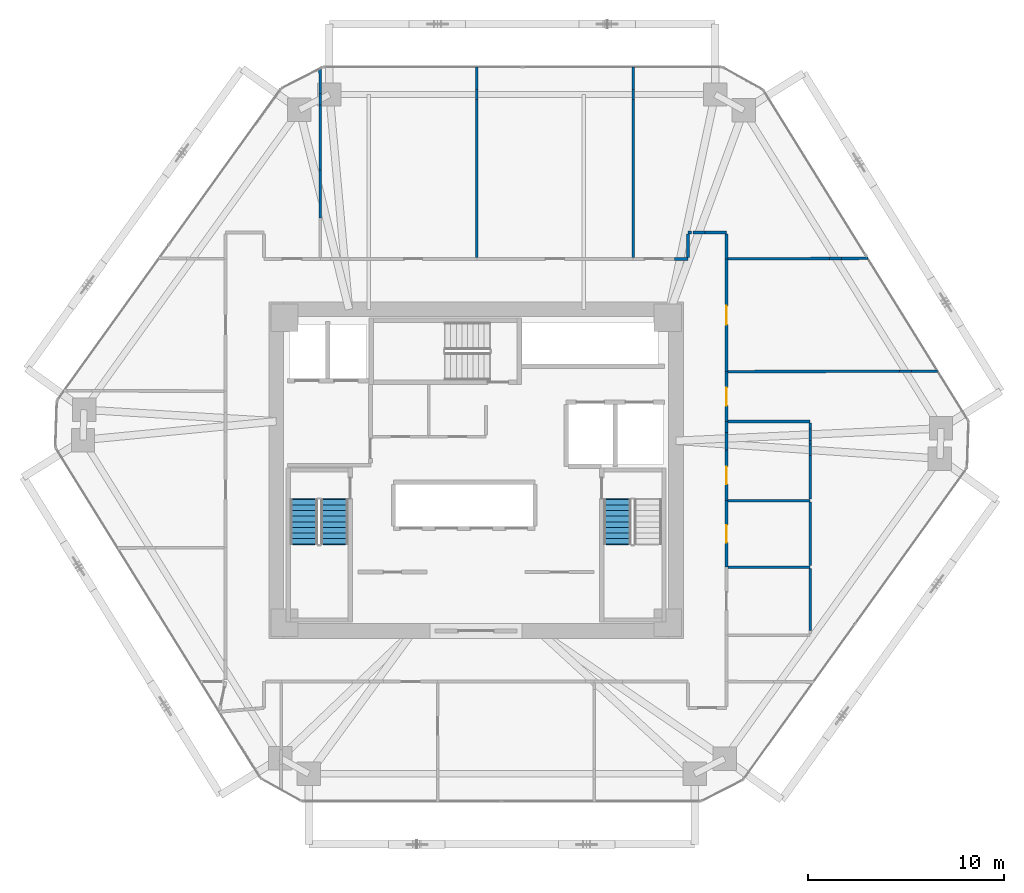
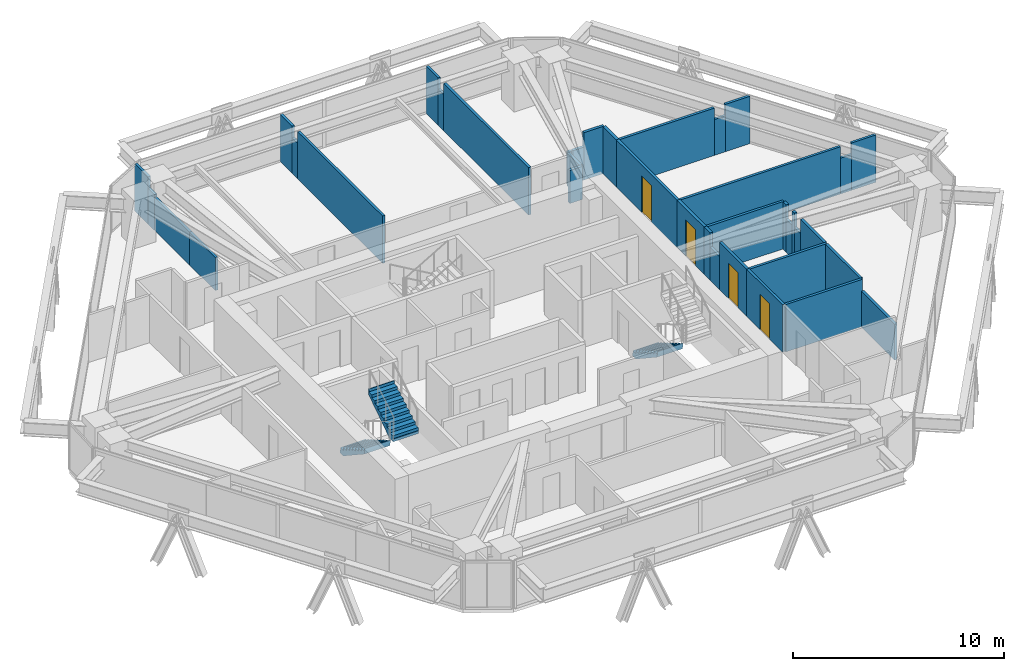
# One storey, part 15 of 17: 38 walls, 4 doors, 3 stair flights, 4 openings, 2 elements without a shape of their own.
"""IFC4 building model written with IfcOpenShell, lengths in metres."""

from ifc_helpers import new_model, si_unit, direction, frame, frame_2d, origin, place, context, subcontext, project, spatial, polyline, rectangle, outline, extrude, source, transform, mapped, material, layer, layer_set, type_object, type_shapes, element, fill, aggregate, save


model = new_model("IFC4")

# Units and contexts
model_context = context("Model", 3, precision=1e-05, world=origin(), true_north=direction((0.0, 1.0)))
body_context = subcontext(model_context, "Body", "Model", "MODEL_VIEW")
ifc_project = project(units=[si_unit("LENGTHUNIT", "METRE"), si_unit("AREAUNIT", "SQUARE_METRE"), si_unit("VOLUMEUNIT", "CUBIC_METRE"), si_unit("PLANEANGLEUNIT", "RADIAN"), si_unit("MASSUNIT", "GRAM", prefix="KILO")], contexts=[model_context])

# Site, building, storey
site_placement = place(None, origin())
site = spatial("IfcSite", under=ifc_project, at=site_placement, CompositionType="ELEMENT")
building_placement = place(site_placement, origin())
building = spatial("IfcBuilding", under=site, at=building_placement, Name="Durnholm Broadcast Tower", CompositionType="ELEMENT")
storey_placement = place(building_placement, frame((0.0, 0.0, 143.10009765625)))
storey = spatial("IfcBuildingStorey", under=building, at=storey_placement, Name="L39", CompositionType="ELEMENT", Elevation=143.10009765625)

# Walls
ifc_material_1 = material(Name="Gypsum Metal Stud Partition", Category="concrete")
ifc_layer_1 = layer(ifc_material_1, 0.135009765625)
ifc_layer_set_1 = layer_set([ifc_layer_1], Name="Gypsum Metal Stud Partition")
wall_type_1 = type_object("IfcWallType", Name="WALL-PART-135", PredefinedType="PARTITIONING", material=ifc_layer_set_1)
wall_1_placement = place(storey_placement, frame((-7.978271484375, 20.542236328125, 0.0), z_axis=(0.0, 0.0, 1.0), x_axis=(0.001914971594, -0.99999816644, 0.0)))
element("IfcWall", 1, at=wall_1_placement, inside=storey, type_object=wall_type_1, Name="L39 room dividing partition 8.9", PredefinedType="PARTITIONING", context=body_context, shape_type="SweptSolid", body=[
    extrude(rectangle(XDim=1.27490234375, YDim=0.135009765625, at=frame_2d((0.637451171875, 0.0))), origin(), (0.0, 0.0, 1.0), 2.744873046875),
])
wall_2_placement = place(storey_placement, frame((-7.974609375, 18.673095703125, 0.0), z_axis=(0.0, 0.0, 1.0), x_axis=(0.001840668359, -0.999998305969, 0.0)))
element("IfcWall", 2, at=wall_2_placement, inside=storey, type_object=wall_type_1, Name="L39 room dividing partition 8.9", PredefinedType="PARTITIONING", context=body_context, shape_type="SweptSolid", body=[
    extrude(rectangle(XDim=3.31591796875, YDim=0.135009765625, at=frame_2d((1.657958984375, 0.0))), origin(), (0.0, 0.0, 1.0), 1.912109375),
])
wall_3_placement = place(storey_placement, frame((-7.975830078125, 19.267333984375, 0.0), z_axis=(0.0, 0.0, 1.0), x_axis=(0.002054227383, -0.999997890073, 0.0)))
element("IfcWall", 3, at=wall_3_placement, inside=storey, type_object=wall_type_1, Name="L39 room dividing partition 8.9", PredefinedType="PARTITIONING", context=body_context, shape_type="SweptSolid", body=[
    extrude(rectangle(XDim=0.59423828125, YDim=0.135009765625, at=frame_2d((0.297119140625, 0.0))), origin(), (0.0, 0.0, 1.0), 2.079833984375),
])
wall_4_placement = place(storey_placement, frame((-7.968505859375, 15.357177734375, 0.0), z_axis=(0.0, 0.0, 1.0), x_axis=(0.001895636622, -0.999998203279, 0.0)))
element("IfcWall", 4, at=wall_4_placement, inside=storey, type_object=wall_type_1, Name="L39 room dividing partition 8.9", PredefinedType="PARTITIONING", context=body_context, shape_type="SweptSolid", body=[
    extrude(rectangle(XDim=2.447021484375, YDim=0.135009765625, at=frame_2d((1.2236328125, 0.0))), origin(), (0.0, 0.0, 1.0), 1.912109375),
])
wall_5_placement = place(storey_placement, frame((0.0400390625, 20.614990234375, 0.0), z_axis=(0.0, 0.0, 1.0), x_axis=(0.0, -1.0, 0.0)))
element("IfcWall", 5, at=wall_5_placement, inside=storey, type_object=wall_type_1, Name="L39 room dividing partition 9.10", PredefinedType="PARTITIONING", context=body_context, shape_type="SweptSolid", body=[
    extrude(rectangle(XDim=1.135498046875, YDim=0.135009765625, at=frame_2d((0.56787109375, 0.0))), origin(), (0.0, 0.0, 1.0), 2.744873046875),
])
wall_6_placement = place(storey_placement, frame((0.0400390625, 18.950439453125, 0.0), z_axis=(0.0, 0.0, 1.0), x_axis=(0.0, -1.0, 0.0)))
element("IfcWall", 6, at=wall_6_placement, inside=storey, type_object=wall_type_1, Name="L39 room dividing partition 9.10", PredefinedType="PARTITIONING", context=body_context, shape_type="SweptSolid", body=[
    extrude(rectangle(XDim=8.0615234375, YDim=0.135009765625, at=frame_2d((4.03076171875, 0.0))), origin(), (0.0, 0.0, 1.0), 2.744873046875),
])
wall_7_placement = place(storey_placement, frame((0.0400390625, 19.4794921875, 0.0), z_axis=(0.0, 0.0, 1.0), x_axis=(0.0, -1.0, 0.0)))
element("IfcWall", 7, at=wall_7_placement, inside=storey, type_object=wall_type_1, Name="L39 room dividing partition 9.10", PredefinedType="PARTITIONING", context=body_context, shape_type="SweptSolid", body=[
    extrude(rectangle(XDim=0.529052734375, YDim=0.135009765625, at=frame_2d((0.2646484375, 0.0))), origin(), (0.0, 0.0, 1.0), 2.079833984375),
])
wall_8_placement = place(storey_placement, frame((8.0400390625, 20.614990234375, 0.0), z_axis=(0.0, 0.0, 1.0), x_axis=(0.0, -1.0, 0.0)))
element("IfcWall", 8, at=wall_8_placement, inside=storey, type_object=wall_type_1, Name="L39 room dividing partition 10.11", PredefinedType="PARTITIONING", context=body_context, shape_type="SweptSolid", body=[
    extrude(rectangle(XDim=1.135498046875, YDim=0.135009765625, at=frame_2d((0.56787109375, 0.0))), origin(), (0.0, 0.0, 1.0), 2.744873046875),
])
wall_9_placement = place(storey_placement, frame((8.0400390625, 18.950439453125, 0.0), z_axis=(0.0, 0.0, 1.0), x_axis=(0.0, -1.0, 0.0)))
element("IfcWall", 9, at=wall_9_placement, inside=storey, type_object=wall_type_1, Name="L39 room dividing partition 10.11", PredefinedType="PARTITIONING", context=body_context, shape_type="SweptSolid", body=[
    extrude(rectangle(XDim=8.0615234375, YDim=0.135009765625, at=frame_2d((4.03076171875, 0.0))), origin(), (0.0, 0.0, 1.0), 2.744873046875),
])
wall_10_placement = place(storey_placement, frame((8.0400390625, 19.4794921875, 0.0), z_axis=(0.0, 0.0, 1.0), x_axis=(0.0, -1.0, 0.0)))
element("IfcWall", 10, at=wall_10_placement, inside=storey, type_object=wall_type_1, Name="L39 room dividing partition 10.11", PredefinedType="PARTITIONING", context=body_context, shape_type="SweptSolid", body=[
    extrude(rectangle(XDim=0.529052734375, YDim=0.135009765625, at=frame_2d((0.2646484375, 0.0))), origin(), (0.0, 0.0, 1.0), 2.079833984375),
])
wall_11_placement = place(storey_placement, frame((20.03515625, 10.8310546875, 0.0), z_axis=(0.0, 0.0, 1.0), x_axis=(-0.999995711111, -0.002928781142, 0.0)))
element("IfcWall", 11, at=wall_11_placement, inside=storey, type_object=wall_type_1, Name="L39 room dividing partition 11.20", PredefinedType="PARTITIONING", context=body_context, shape_type="SweptSolid", body=[
    extrude(rectangle(XDim=1.333740234375, YDim=0.135009765625, at=frame_2d((0.6669921875, 0.0))), origin(), (0.0, 0.0, 1.0), 2.744873046875),
])
wall_12_placement = place(storey_placement, frame((18.080078125, 10.825439453125, 0.0), z_axis=(0.0, 0.0, 1.0), x_axis=(-0.999995748898, -0.002915850841, 0.0)))
element("IfcWall", 12, at=wall_12_placement, inside=storey, type_object=wall_type_1, Name="L39 room dividing partition 11.20", PredefinedType="PARTITIONING", context=body_context, shape_type="SweptSolid", body=[
    extrude(rectangle(XDim=5.191162109375, YDim=0.135009765625, at=frame_2d((2.595703125, 0.0))), origin(), (0.0, 0.0, 1.0), 2.744873046875),
])
wall_13_placement = place(storey_placement, frame((18.701416015625, 10.8271484375, 0.0), z_axis=(0.0, 0.0, 1.0), x_axis=(-0.999996217421, -0.002750480755, 0.0)))
element("IfcWall", 13, at=wall_13_placement, inside=storey, type_object=wall_type_1, Name="L39 room dividing partition 11.20", PredefinedType="PARTITIONING", context=body_context, shape_type="SweptSolid", body=[
    extrude(rectangle(XDim=0.621337890625, YDim=0.135009765625, at=frame_2d((0.310546875, 0.0))), origin(), (0.0, 0.0, 1.0), 2.079833984375),
])
wall_14_placement = place(storey_placement, frame((12.888916015625, 5.040283203125, 0.0), z_axis=(0.0, 0.0, 1.0), x_axis=(0.999998100826, 0.001948934128, 0.0)))
element("IfcWall", 14, at=wall_14_placement, inside=storey, type_object=wall_type_1, Name="L39 room dividing partition 19.20", PredefinedType="PARTITIONING", context=body_context, shape_type="SweptSolid", body=[
    extrude(rectangle(XDim=8.768798828125, YDim=0.135009765625, at=frame_2d((4.38427734375, 0.0))), origin(), (0.0, 0.0, 1.0), 2.744873046875),
])
wall_15_placement = place(storey_placement, frame((22.279541015625, 5.05859375, 0.0), z_axis=(0.0, 0.0, 1.0), x_axis=(0.999998327097, 0.001829153699, 0.0)))
element("IfcWall", 15, at=wall_15_placement, inside=storey, type_object=wall_type_1, Name="L39 room dividing partition 19.20", PredefinedType="PARTITIONING", context=body_context, shape_type="SweptSolid", body=[
    extrude(rectangle(XDim=1.334716796875, YDim=0.135009765625, at=frame_2d((0.66748046875, 0.0))), origin(), (0.0, 0.0, 1.0), 2.744873046875),
])
wall_16_placement = place(storey_placement, frame((21.65771484375, 5.057373046875, 0.0), z_axis=(0.0, 0.0, 1.0), x_axis=(0.999998073137, 0.001963090053, 0.0)))
element("IfcWall", 16, at=wall_16_placement, inside=storey, type_object=wall_type_1, Name="L39 room dividing partition 19.20", PredefinedType="PARTITIONING", context=body_context, shape_type="SweptSolid", body=[
    extrude(rectangle(XDim=0.621826171875, YDim=0.135009765625, at=frame_2d((0.31103515625, 0.0))), origin(), (0.0, 0.0, 1.0), 2.079833984375),
])
ifc_material_2 = material(Name="Acoustic Gypsum Stud Partition", Category="concrete")
ifc_layer_2 = layer(ifc_material_2, 0.14990234375)
ifc_layer_set_2 = layer_set([ifc_layer_2], Name="Acoustic Gypsum Stud Partition")
wall_type_2 = type_object("IfcWallType", Name="WALL-PART-150", PredefinedType="PARTITIONING", material=ifc_layer_set_2)
wall_17_placement = place(storey_placement, frame((10.840087890625, 10.81005859375, 0.0), z_axis=(0.0, 0.0, 1.0), x_axis=(-1.0, 0.0, 0.0)))
element("IfcWall", 17, at=wall_17_placement, inside=storey, type_object=wall_type_2, Name="L39 Open Plan Broadcast Workspace 5 corridor partition", PredefinedType="PARTITIONING", context=body_context, shape_type="SweptSolid", body=[
    extrude(rectangle(XDim=0.698486328125, YDim=0.14990234375, at=frame_2d((0.34912109375, 0.0))), origin(), (0.0, 0.0, 1.0), 1.912109375),
])
wall_18_placement = place(storey_placement, frame((12.81005859375, 12.159912109375, 0.0), z_axis=(0.0, 0.0, 1.0), x_axis=(-1.0, 0.0, 0.0)))
element("IfcWall", 18, at=wall_18_placement, inside=storey, type_object=wall_type_2, Name="L39 Open Plan Broadcast Workspace 5 corridor partition", PredefinedType="PARTITIONING", context=body_context, shape_type="SweptSolid", body=[
    extrude(rectangle(XDim=1.09765625, YDim=0.14990234375, at=frame_2d((0.548828125, 0.0))), origin(), (0.0, 0.0, 1.0), 2.744873046875),
])
wall_19_placement = place(storey_placement, frame((11.71240234375, 12.159912109375, 0.0), z_axis=(0.0, 0.0, 1.0), x_axis=(-1.0, 0.0, 0.0)))
element("IfcWall", 19, at=wall_19_placement, inside=storey, type_object=wall_type_2, Name="L39 Open Plan Broadcast Workspace 5 corridor partition", PredefinedType="PARTITIONING", context=body_context, shape_type="SweptSolid", body=[
    extrude(rectangle(XDim=0.623291015625, YDim=0.14990234375, at=frame_2d((0.3115234375, 0.0))), origin(), (0.0, 0.0, 1.0), 1.912109375),
])
wall_20_placement = place(storey_placement, frame((11.027099609375, 12.159912109375, 0.0), z_axis=(0.0, 0.0, 1.0), x_axis=(-1.0, 0.0, 0.0)))
element("IfcWall", 20, at=wall_20_placement, inside=storey, type_object=wall_type_2, Name="L39 Open Plan Broadcast Workspace 5 corridor partition", PredefinedType="PARTITIONING", context=body_context, shape_type="SweptSolid", body=[
    extrude(rectangle(XDim=0.18701171875, YDim=0.14990234375, at=frame_2d((0.093505859375, 0.0))), origin(), (0.0, 0.0, 1.0), 1.912109375),
])
wall_21_placement = place(storey_placement, frame((12.81005859375, 10.81005859375, 0.0), z_axis=(0.0, 0.0, 1.0), x_axis=(0.0, 1.0, 0.0)))
element("IfcWall", 21, at=wall_21_placement, inside=storey, type_object=wall_type_2, Name="L39 Open Plan Broadcast Workspace 5 corridor partition", PredefinedType="PARTITIONING", context=body_context, shape_type="SweptSolid", body=[
    extrude(rectangle(XDim=1.27099609375, YDim=0.14990234375, at=frame_2d((0.635498046875, 0.0))), origin(), (0.0, 0.0, 1.0), 2.744873046875),
])
wall_22_placement = place(storey_placement, frame((10.840087890625, 12.0810546875, 0.0), z_axis=(0.0, 0.0, 1.0), x_axis=(0.0, -1.0, 0.0)))
element("IfcWall", 22, at=wall_22_placement, inside=storey, type_object=wall_type_2, Name="L39 Open Plan Broadcast Workspace 5 corridor partition", PredefinedType="PARTITIONING", context=body_context, shape_type="SweptSolid", body=[
    extrude(rectangle(XDim=1.192138671875, YDim=0.14990234375, at=frame_2d((0.59619140625, 0.0))), origin(), (0.0, 0.0, 1.0), 1.912109375),
])

# Wall, opening, door
wall_23_placement = place(storey_placement, frame((12.81005859375, 2.489990234375, 0.0), z_axis=(0.0, 0.0, 1.0), x_axis=(0.0, 1.0, 0.0)))
wall_23 = element("IfcWall", 23, at=wall_23_placement, inside=storey, type_object=wall_type_2, Name="L39 Open Plan Broadcast Workspace 1 corridor partition", PredefinedType="PARTITIONING", context=body_context, shape_type="SweptSolid", body=[
    extrude(rectangle(XDim=2.550048828125, YDim=0.14990234375, at=frame_2d((1.27490234375, 0.0))), origin(), (0.0, 0.0, 1.0), 2.744873046875),
])
opening_1_placement = place(wall_23_placement, frame((0.81494140625, 0.0, 0.0)))
opening_1 = element("IfcOpeningElement", 24, at=opening_1_placement, cuts=wall_23, Name="Opening DR-92R", PredefinedType="OPENING", context=body_context, shape_type="SweptSolid", body=[
    extrude(rectangle(XDim=0.919921875, YDim=2.10009765625, at=frame_2d((0.4599609375, 1.050048828125))), frame((0.0, 0.0849609375, 0.0), z_axis=(0.0, -1.0, 0.0), x_axis=(1.0, 0.0, 0.0)), (0.0, 0.0, 1.0), 0.169921875),
])
ifc_material_3 = material(Name="Oak Veneer Office Door", Category="wood")
ifc_layer_3 = layer(ifc_material_3, 0.050048828125)
ifc_layer_set_3 = layer_set([ifc_layer_3], Name="Oak Veneer Office Door")
door_type_1 = type_object("IfcDoorType", Name="DOOR-RM-920R", OperationType="NOTDEFINED", PredefinedType="DOOR", material=ifc_layer_set_3)
shared_shape_1 = source(origin(), body_context, "Body", "SweptSolid", [
    extrude(rectangle(XDim=0.919921875, YDim=2.10009765625, at=frame_2d((0.4599609375, 1.050048828125))), frame((0.0, 0.02490234375, 0.0), z_axis=(0.0, -1.0, 0.0), x_axis=(1.0, 0.0, 0.0)), (0.0, 0.0, 1.0), 0.050048828125),
])
type_shapes(door_type_1, [shared_shape_1])
door_1_placement = place(opening_1_placement, origin())
door_1 = element("IfcDoor", 25, at=door_1_placement, inside=storey, type_object=door_type_1, Name="L39 Open Plan Broadcast Workspace 1 entrance door", OperationType="SINGLE_SWING_RIGHT", OverallHeight=2.10009765625, OverallWidth=0.919921875, PredefinedType="DOOR", context=body_context, shape_type="MappedRepresentation", body=[
    mapped(shared_shape_1, transform((0.0, 0.0, 0.0), x_axis=(1.0, 0.0, 0.0), y_axis=(0.0, 1.0, 0.0), z_axis=(0.0, 0.0, 1.0), scale=1.0)),
])
fill(opening_1, door_1)

wall_24_placement = place(storey_placement, frame((12.81005859375, 5.0400390625, 0.0), z_axis=(0.0, 0.0, 1.0), x_axis=(0.0, 1.0, 0.0)))
wall_24 = element("IfcWall", 26, at=wall_24_placement, inside=storey, type_object=wall_type_2, Name="L39 IP Counsel Office corridor partition", PredefinedType="PARTITIONING", context=body_context, shape_type="SweptSolid", body=[
    extrude(rectangle(XDim=5.77001953125, YDim=0.14990234375, at=frame_2d((2.885009765625, 0.0))), origin(), (0.0, 0.0, 1.0), 2.744873046875),
])
opening_2_placement = place(wall_24_placement, frame((2.409912109375, 0.0, 0.0)))
opening_2 = element("IfcOpeningElement", 27, at=opening_2_placement, cuts=wall_24, Name="Opening DR-95L", PredefinedType="OPENING", context=body_context, shape_type="SweptSolid", body=[
    extrude(rectangle(XDim=0.949951171875, YDim=2.10009765625, at=frame_2d((0.47509765625, 1.050048828125))), frame((0.0, 0.0849609375, 0.0), z_axis=(0.0, -1.0, 0.0), x_axis=(1.0, 0.0, 0.0)), (0.0, 0.0, 1.0), 0.169921875),
])
ifc_material_4 = material(Name="Acoustic Oak Veneer Timber Door", Category="wood")
ifc_layer_4 = layer(ifc_material_4, 0.050048828125)
ifc_layer_set_4 = layer_set([ifc_layer_4], Name="Acoustic Oak Veneer Timber Door")
door_type_2 = type_object("IfcDoorType", Name="DOOR-RM-950L", OperationType="NOTDEFINED", PredefinedType="DOOR", material=ifc_layer_set_4)
shared_shape_2 = source(origin(), body_context, "Body", "SweptSolid", [
    extrude(rectangle(XDim=0.949951171875, YDim=2.10009765625, at=frame_2d((0.47509765625, 1.050048828125))), frame((0.0, 0.02490234375, 0.0), z_axis=(0.0, -1.0, 0.0), x_axis=(1.0, 0.0, 0.0)), (0.0, 0.0, 1.0), 0.050048828125),
])
type_shapes(door_type_2, [shared_shape_2])
door_2_placement = place(opening_2_placement, origin())
door_2 = element("IfcDoor", 28, at=door_2_placement, inside=storey, type_object=door_type_2, Name="L39 IP Counsel Office entrance door", OperationType="SINGLE_SWING_LEFT", OverallHeight=2.10009765625, OverallWidth=0.949951171875, PredefinedType="DOOR", context=body_context, shape_type="MappedRepresentation", body=[
    mapped(shared_shape_2, transform((0.0, 0.0, 0.0), x_axis=(1.0, 0.0, 0.0), y_axis=(0.0, 1.0, 0.0), z_axis=(0.0, 0.0, 1.0), scale=1.0)),
])
fill(opening_2, door_2)

ifc_material_5 = material(Name="Moisture-Resistant Tile Partition", Category="concrete")
ifc_layer_5 = layer(ifc_material_5, 0.139892578125)
ifc_layer_set_5 = layer_set([ifc_layer_5], Name="Moisture-Resistant Tile Partition")
wall_type_3 = type_object("IfcWallType", Name="WALL-WC-140", PredefinedType="PARTITIONING", material=ifc_layer_set_5)
wall_25_placement = place(storey_placement, frame((12.81005859375, -4.9599609375, 0.0), z_axis=(0.0, 0.0, 1.0), x_axis=(0.0, 1.0, 0.0)))
wall_25 = element("IfcWall", 29, at=wall_25_placement, inside=storey, type_object=wall_type_3, Name="L39 Women's Restroom corridor partition", PredefinedType="PARTITIONING", context=body_context, shape_type="SweptSolid", body=[
    extrude(rectangle(XDim=3.39990234375, YDim=0.139892578125, at=frame_2d((1.699951171875, 0.0))), origin(), (0.0, 0.0, 1.0), 2.744873046875),
])
opening_3_placement = place(wall_25_placement, frame((1.25, 0.0, 0.0)))
opening_3 = element("IfcOpeningElement", 30, at=opening_3_placement, cuts=wall_25, Name="Opening DW-90L", PredefinedType="OPENING", context=body_context, shape_type="SweptSolid", body=[
    extrude(rectangle(XDim=0.89990234375, YDim=2.050048828125, at=frame_2d((0.449951171875, 1.02490234375))), frame((0.0, 0.080078125, 0.0), z_axis=(0.0, -1.0, 0.0), x_axis=(1.0, 0.0, 0.0)), (0.0, 0.0, 1.0), 0.159912109375),
])
ifc_material_6 = material(Name="Laminate Restroom Door", Category="steel")
ifc_layer_6 = layer(ifc_material_6, 0.050048828125)
ifc_layer_set_6 = layer_set([ifc_layer_6], Name="Laminate Restroom Door")
door_type_3 = type_object("IfcDoorType", Name="DOOR-WC-900L", OperationType="NOTDEFINED", PredefinedType="DOOR", material=ifc_layer_set_6)
shared_shape_3 = source(origin(), body_context, "Body", "SweptSolid", [
    extrude(rectangle(XDim=0.89990234375, YDim=2.050048828125, at=frame_2d((0.449951171875, 1.02490234375))), frame((0.0, 0.02490234375, 0.0), z_axis=(0.0, -1.0, 0.0), x_axis=(1.0, 0.0, 0.0)), (0.0, 0.0, 1.0), 0.050048828125),
])
type_shapes(door_type_3, [shared_shape_3])
door_3_placement = place(opening_3_placement, origin())
door_3 = element("IfcDoor", 31, at=door_3_placement, inside=storey, type_object=door_type_3, Name="L39 Women's Restroom entrance door", OperationType="SINGLE_SWING_LEFT", OverallHeight=2.050048828125, OverallWidth=0.89990234375, PredefinedType="DOOR", context=body_context, shape_type="MappedRepresentation", body=[
    mapped(shared_shape_3, transform((0.0, 0.0, 0.0), x_axis=(1.0, 0.0, 0.0), y_axis=(0.0, 1.0, 0.0), z_axis=(0.0, 0.0, 1.0), scale=1.0)),
])
fill(opening_3, door_3)

wall_26_placement = place(storey_placement, frame((12.81005859375, -1.56005859375, 0.0), z_axis=(0.0, 0.0, 1.0), x_axis=(0.0, 1.0, 0.0)))
wall_26 = element("IfcWall", 32, at=wall_26_placement, inside=storey, type_object=wall_type_3, Name="L39 Accessible Restroom corridor partition", PredefinedType="PARTITIONING", context=body_context, shape_type="SweptSolid", body=[
    extrude(rectangle(XDim=2.592041015625, YDim=0.139892578125, at=frame_2d((1.2958984375, 0.0))), origin(), (0.0, 0.0, 1.0), 2.744873046875),
])
opening_4_placement = place(wall_26_placement, frame((0.84619140625, 0.0, 0.0)))
opening_4 = element("IfcOpeningElement", 33, at=opening_4_placement, cuts=wall_26, Name="Opening DW-90R", PredefinedType="OPENING", context=body_context, shape_type="SweptSolid", body=[
    extrude(rectangle(XDim=0.89990234375, YDim=2.050048828125, at=frame_2d((0.449951171875, 1.02490234375))), frame((0.0, 0.080078125, 0.0), z_axis=(0.0, -1.0, 0.0), x_axis=(1.0, 0.0, 0.0)), (0.0, 0.0, 1.0), 0.159912109375),
])
ifc_layer_7 = layer(ifc_material_6, 0.050048828125)
ifc_layer_set_7 = layer_set([ifc_layer_7], Name="Laminate Restroom Door")
door_type_4 = type_object("IfcDoorType", Name="DOOR-WC-900R", OperationType="NOTDEFINED", PredefinedType="DOOR", material=ifc_layer_set_7)
shared_shape_4 = source(origin(), body_context, "Body", "SweptSolid", [
    extrude(rectangle(XDim=0.89990234375, YDim=2.050048828125, at=frame_2d((0.449951171875, 1.02490234375))), frame((0.0, 0.02490234375, 0.0), z_axis=(0.0, -1.0, 0.0), x_axis=(1.0, 0.0, 0.0)), (0.0, 0.0, 1.0), 0.050048828125),
])
type_shapes(door_type_4, [shared_shape_4])
door_4_placement = place(opening_4_placement, origin())
door_4 = element("IfcDoor", 34, at=door_4_placement, inside=storey, type_object=door_type_4, Name="L39 Accessible Restroom entrance door", OperationType="SINGLE_SWING_RIGHT", OverallHeight=2.050048828125, OverallWidth=0.89990234375, PredefinedType="DOOR", context=body_context, shape_type="MappedRepresentation", body=[
    mapped(shared_shape_4, transform((0.0, 0.0, 0.0), x_axis=(1.0, 0.0, 0.0), y_axis=(0.0, 1.0, 0.0), z_axis=(0.0, 0.0, 1.0), scale=1.0)),
])
fill(opening_4, door_4)

# Walls
wall_27_placement = place(storey_placement, frame((12.81005859375, 1.914306640625, 0.0), z_axis=(0.0, 0.0, 1.0), x_axis=(0.0, 1.0, 0.0)))
element("IfcWall", 35, at=wall_27_placement, inside=storey, type_object=wall_type_3, Name="L39 Accessible Restroom corridor partition", PredefinedType="PARTITIONING", context=body_context, shape_type="SweptSolid", body=[
    extrude(rectangle(XDim=0.57568359375, YDim=0.139892578125, at=frame_2d((0.287841796875, 0.0))), origin(), (0.0, 0.0, 1.0), 2.744873046875),
])
wall_28_placement = place(storey_placement, frame((12.81005859375, 1.031982421875, 0.0), z_axis=(0.0, 0.0, 1.0), x_axis=(0.0, 1.0, 0.0)))
element("IfcWall", 36, at=wall_28_placement, inside=storey, type_object=wall_type_3, Name="L39 Accessible Restroom corridor partition", PredefinedType="PARTITIONING", context=body_context, shape_type="SweptSolid", body=[
    extrude(rectangle(XDim=0.88232421875, YDim=0.139892578125, at=frame_2d((0.441162109375, 0.0))), origin(), (0.0, 0.0, 1.0), 1.912109375),
])
wall_29_placement = place(storey_placement, frame((12.884033203125, -4.9599609375, 0.0), z_axis=(0.0, 0.0, 1.0), x_axis=(1.0, 0.0, 0.0)))
element("IfcWall", 37, at=wall_29_placement, inside=storey, type_object=wall_type_3, Name="L39 room dividing partition 5.6", PredefinedType="PARTITIONING", context=body_context, shape_type="SweptSolid", body=[
    extrude(rectangle(XDim=4.2060546875, YDim=0.139892578125, at=frame_2d((2.10302734375, 0.0))), origin(), (0.0, 0.0, 1.0), 2.744873046875),
])
wall_30_placement = place(storey_placement, frame((17.090087890625, -5.033935546875, 0.0), z_axis=(0.0, 0.0, 1.0), x_axis=(0.0, -1.0, 0.0)))
element("IfcWall", 38, at=wall_30_placement, inside=storey, type_object=wall_type_3, Name="L39 room dividing partition 5.19", PredefinedType="PARTITIONING", context=body_context, shape_type="SweptSolid", body=[
    extrude(rectangle(XDim=3.165771484375, YDim=0.139892578125, at=frame_2d((1.5830078125, 0.0))), origin(), (0.0, 0.0, 1.0), 2.079833984375),
])
wall_31_placement = place(storey_placement, frame((12.884033203125, -1.56005859375, 0.0), z_axis=(0.0, 0.0, 1.0), x_axis=(1.0, 0.0, 0.0)))
element("IfcWall", 39, at=wall_31_placement, inside=storey, type_object=wall_type_3, Name="L39 room dividing partition 6.7", PredefinedType="PARTITIONING", context=body_context, shape_type="SweptSolid", body=[
    extrude(rectangle(XDim=4.2060546875, YDim=0.139892578125, at=frame_2d((2.10302734375, 0.0))), origin(), (0.0, 0.0, 1.0), 2.744873046875),
])
wall_32_placement = place(storey_placement, frame((17.090087890625, -1.634033203125, 0.0), z_axis=(0.0, 0.0, 1.0), x_axis=(0.0, -1.0, 0.0)))
element("IfcWall", 40, at=wall_32_placement, inside=storey, type_object=wall_type_3, Name="L39 room dividing partition 6.19", PredefinedType="PARTITIONING", context=body_context, shape_type="SweptSolid", body=[
    extrude(rectangle(XDim=3.251953125, YDim=0.139892578125, at=frame_2d((1.6259765625, 0.0))), origin(), (0.0, 0.0, 1.0), 2.744873046875),
])
wall_33_placement = place(storey_placement, frame((12.888916015625, 2.489990234375, 0.0), z_axis=(0.0, 0.0, 1.0), x_axis=(1.0, 0.0, 0.0)))
element("IfcWall", 41, at=wall_33_placement, inside=storey, type_object=wall_type_3, Name="L39 room dividing partition 7.19", PredefinedType="PARTITIONING", context=body_context, shape_type="SweptSolid", body=[
    extrude(rectangle(XDim=4.201171875, YDim=0.139892578125, at=frame_2d((2.1005859375, 0.0))), origin(), (0.0, 0.0, 1.0), 2.744873046875),
])
wall_34_placement = place(storey_placement, frame((17.090087890625, 2.416015625, 0.0), z_axis=(0.0, 0.0, 1.0), x_axis=(0.0, -1.0, 0.0)))
element("IfcWall", 42, at=wall_34_placement, inside=storey, type_object=wall_type_3, Name="L39 room dividing partition 7.19", PredefinedType="PARTITIONING", context=body_context, shape_type="SweptSolid", body=[
    extrude(rectangle(XDim=0.30078125, YDim=0.139892578125, at=frame_2d((0.150390625, 0.0))), origin(), (0.0, 0.0, 1.0), 2.744873046875),
])
wall_35_placement = place(storey_placement, frame((17.090087890625, 1.529541015625, 0.0), z_axis=(0.0, 0.0, 1.0), x_axis=(0.0, -1.0, 0.0)))
element("IfcWall", 43, at=wall_35_placement, inside=storey, type_object=wall_type_3, Name="L39 room dividing partition 7.19", PredefinedType="PARTITIONING", context=body_context, shape_type="SweptSolid", body=[
    extrude(rectangle(XDim=0.20068359375, YDim=0.139892578125, at=frame_2d((0.100341796875, 0.0))), origin(), (0.0, 0.0, 1.0), 2.744873046875),
])
wall_36_placement = place(storey_placement, frame((17.090087890625, 0.74267578125, 0.0), z_axis=(0.0, 0.0, 1.0), x_axis=(0.0, -1.0, 0.0)))
element("IfcWall", 44, at=wall_36_placement, inside=storey, type_object=wall_type_3, Name="L39 room dividing partition 7.19", PredefinedType="PARTITIONING", context=body_context, shape_type="SweptSolid", body=[
    extrude(rectangle(XDim=2.228759765625, YDim=0.139892578125, at=frame_2d((1.1142578125, 0.0))), origin(), (0.0, 0.0, 1.0), 2.744873046875),
])
wall_37_placement = place(storey_placement, frame((17.090087890625, 2.115234375, 0.0), z_axis=(0.0, 0.0, 1.0), x_axis=(0.0, -1.0, 0.0)))
element("IfcWall", 45, at=wall_37_placement, inside=storey, type_object=wall_type_3, Name="L39 room dividing partition 7.19", PredefinedType="PARTITIONING", context=body_context, shape_type="SweptSolid", body=[
    extrude(rectangle(XDim=0.585693359375, YDim=0.139892578125, at=frame_2d((0.29296875, 0.0))), origin(), (0.0, 0.0, 1.0), 1.912109375),
])
wall_38_placement = place(storey_placement, frame((17.090087890625, 1.328857421875, 0.0), z_axis=(0.0, 0.0, 1.0), x_axis=(0.0, -1.0, 0.0)))
element("IfcWall", 46, at=wall_38_placement, inside=storey, type_object=wall_type_3, Name="L39 room dividing partition 7.19", PredefinedType="PARTITIONING", context=body_context, shape_type="SweptSolid", body=[
    extrude(rectangle(XDim=0.586181640625, YDim=0.139892578125, at=frame_2d((0.29296875, 0.0))), origin(), (0.0, 0.0, 1.0), 1.912109375),
])

# Stair, stair flights
ifc_material_7 = material(Name="Concrete C50/60", Category="concrete")
stair_type = type_object("IfcStairType", Name="STAIR-DL-18R1667", PredefinedType="HALF_TURN_STAIR", material=ifc_material_7)
stair_1_placement = place(storey_placement, origin())
stair_1 = element("IfcStair", 47, at=stair_1_placement, inside=storey, type_object=stair_type, Name="L39 ST-1", PredefinedType="HALF_TURN_STAIR")
stair_flight_type = type_object("IfcStairFlightType", Name="FLIGHT-DL-18R1667", PredefinedType="STRAIGHT", material=ifc_material_7)
stair_flight_1_placement = place(storey_placement, frame((-8.800048828125, -1.5, 0.0), z_axis=(0.0, 0.0, 1.0), x_axis=(0.0, -1.0, 0.0)))
stair_flight_1 = element("IfcStairFlight", 48, at=stair_flight_1_placement, type_object=stair_flight_type, Name="ST-1 flight 1", NumberOfRisers=9, NumberOfTreads=8, PredefinedType="STRAIGHT", RiserHeight=0.166666667, TreadLength=0.285, context=body_context, shape_type="SweptSolid", body=[
    extrude(outline(polyline([(-0.0400390625, -0.14990234375), (-0.0400390625, 0.0), (0.0, 0.0), (0.0, 0.166748046875), (0.284912109375, 0.166748046875), (0.284912109375, 0.333251953125), (0.570068359375, 0.333251953125), (0.570068359375, 0.5), (0.85498046875, 0.5), (0.85498046875, 0.666748046875), (1.139892578125, 0.666748046875), (1.139892578125, 0.833251953125), (1.425048828125, 0.833251953125), (1.425048828125, 1.0), (1.7099609375, 1.0), (1.7099609375, 1.166748046875), (1.9951171875, 1.166748046875), (1.9951171875, 1.333251953125), (2.280029296875, 1.333251953125), (2.280029296875, 1.5), (2.320068359375, 1.5), (2.320068359375, 1.35009765625), (2.280029296875, 1.15966796875), (0.296875, -0.14990234375), (-0.0400390625, -0.14990234375)])), frame((0.0, 0.699951171875, 0.0), z_axis=(0.0, -1.0, 0.0), x_axis=(1.0, 0.0, 0.0)), (0.0, 0.0, 1.0), 1.39990234375),
])
stair_flight_2_placement = place(storey_placement, frame((-7.239990234375, -3.780029296875, 1.5), z_axis=(0.0, 0.0, 1.0), x_axis=(0.0, 1.0, 0.0)))
stair_flight_2 = element("IfcStairFlight", 49, at=stair_flight_2_placement, type_object=stair_flight_type, Name="ST-1 flight 2", NumberOfRisers=9, NumberOfTreads=8, PredefinedType="STRAIGHT", RiserHeight=0.166666667, TreadLength=0.285, context=body_context, shape_type="SweptSolid", body=[
    extrude(outline(polyline([(-0.0400390625, -0.14990234375), (-0.0400390625, 0.0), (0.0, 0.0), (0.0, 0.166748046875), (0.284912109375, 0.166748046875), (0.284912109375, 0.333251953125), (0.570068359375, 0.333251953125), (0.570068359375, 0.5), (0.85498046875, 0.5), (0.85498046875, 0.666748046875), (1.139892578125, 0.666748046875), (1.139892578125, 0.833251953125), (1.425048828125, 0.833251953125), (1.425048828125, 1.0), (1.7099609375, 1.0), (1.7099609375, 1.166748046875), (1.9951171875, 1.166748046875), (1.9951171875, 1.333251953125), (2.280029296875, 1.333251953125), (2.280029296875, 1.5), (2.320068359375, 1.5), (2.320068359375, 1.35009765625), (2.280029296875, 1.15966796875), (0.296875, -0.14990234375), (-0.0400390625, -0.14990234375)])), frame((0.0, 0.699951171875, 0.0), z_axis=(0.0, -1.0, 0.0), x_axis=(1.0, 0.0, 0.0)), (0.0, 0.0, 1.0), 1.39990234375),
])
aggregate(stair_1, [stair_flight_1, stair_flight_2])

# Stair, stair flight
stair_2_placement = place(storey_placement, origin())
stair_2 = element("IfcStair", 50, at=stair_2_placement, inside=storey, type_object=stair_type, Name="L39 ST-2", PredefinedType="HALF_TURN_STAIR")
stair_flight_3_placement = place(storey_placement, frame((7.239990234375, -1.5, 0.0), z_axis=(0.0, 0.0, 1.0), x_axis=(0.0, -1.0, 0.0)))
stair_flight_3 = element("IfcStairFlight", 51, at=stair_flight_3_placement, type_object=stair_flight_type, Name="ST-2 flight 1", NumberOfRisers=9, NumberOfTreads=8, PredefinedType="STRAIGHT", RiserHeight=0.166666667, TreadLength=0.285, context=body_context, shape_type="SweptSolid", body=[
    extrude(outline(polyline([(-0.0400390625, -0.14990234375), (-0.0400390625, 0.0), (0.0, 0.0), (0.0, 0.166748046875), (0.284912109375, 0.166748046875), (0.284912109375, 0.333251953125), (0.570068359375, 0.333251953125), (0.570068359375, 0.5), (0.85498046875, 0.5), (0.85498046875, 0.666748046875), (1.139892578125, 0.666748046875), (1.139892578125, 0.833251953125), (1.425048828125, 0.833251953125), (1.425048828125, 1.0), (1.7099609375, 1.0), (1.7099609375, 1.166748046875), (1.9951171875, 1.166748046875), (1.9951171875, 1.333251953125), (2.280029296875, 1.333251953125), (2.280029296875, 1.5), (2.320068359375, 1.5), (2.320068359375, 1.35009765625), (2.280029296875, 1.15966796875), (0.296875, -0.14990234375), (-0.0400390625, -0.14990234375)])), frame((0.0, 0.699951171875, 0.0), z_axis=(0.0, -1.0, 0.0), x_axis=(1.0, 0.0, 0.0)), (0.0, 0.0, 1.0), 1.39990234375),
])
aggregate(stair_2, [stair_flight_3])

save(model, "model.ifc")
